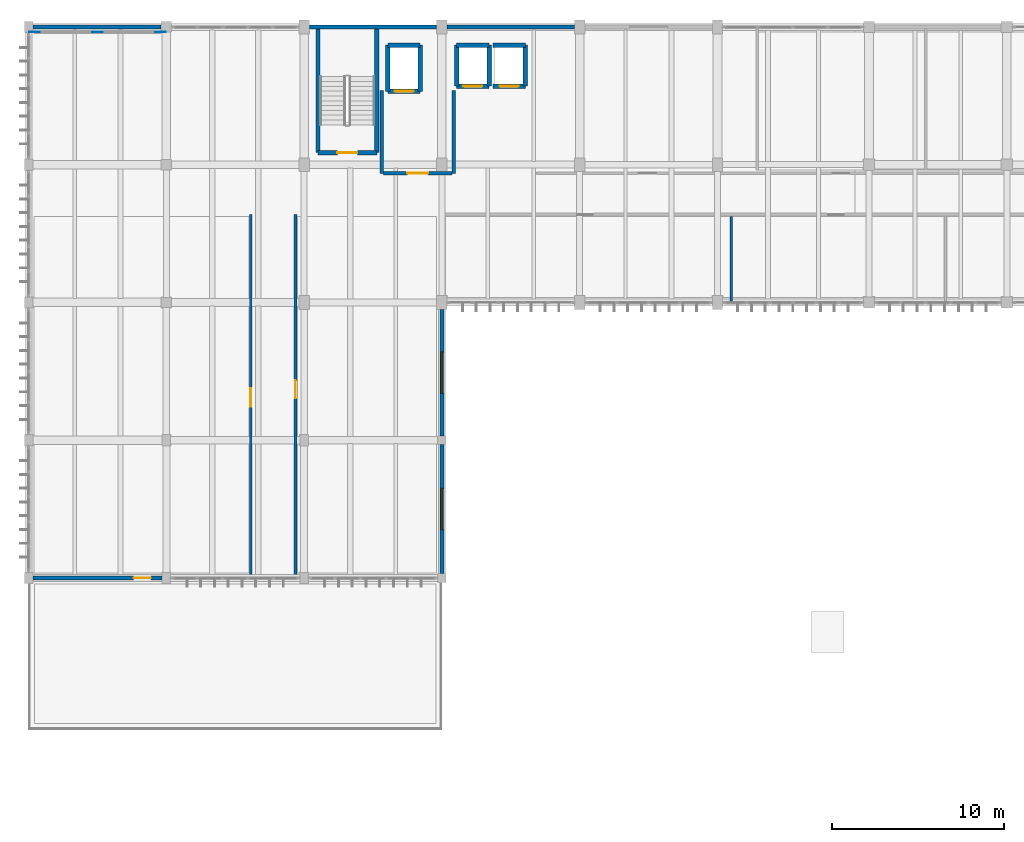
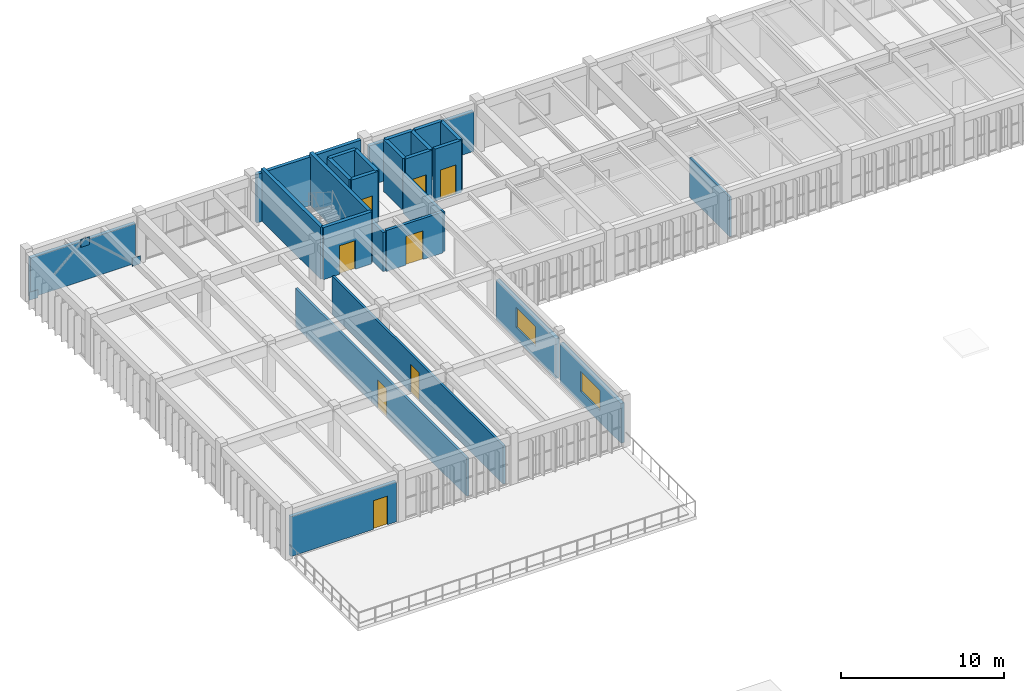
# One storey, part 19 of 31: 26 walls, 8 doors, 3 plates, 2 windows, 10 openings.
"""IFC4 building model written with IfcOpenShell, lengths in metres."""

from ifc_helpers import new_model, si_unit, direction, frame, frame_2d, origin, origin_2d, place, context, subcontext, project, spatial, rectangle, extrude, material, layer, layer_set, type_object, element, fill, save


model = new_model("IFC4")

# Units and contexts
model_context = context("Model", 3, precision=1e-05, world=origin(), true_north=direction((0.0, 1.0)))
body_context = subcontext(model_context, "Body", "Model", "MODEL_VIEW")
ifc_project = project(units=[si_unit("LENGTHUNIT", "METRE"), si_unit("AREAUNIT", "SQUARE_METRE"), si_unit("VOLUMEUNIT", "CUBIC_METRE"), si_unit("PLANEANGLEUNIT", "RADIAN"), si_unit("MASSUNIT", "GRAM", prefix="KILO")], contexts=[model_context])

# Site, building, storey
site_placement = place(None, origin())
site = spatial("IfcSite", under=ifc_project, at=site_placement, CompositionType="ELEMENT")
building_placement = place(site_placement, origin())
building = spatial("IfcBuilding", under=site, at=building_placement, Name="Tlaxcora Railside Police Headquarters", CompositionType="ELEMENT")
storey_placement = place(building_placement, frame((0.0, 0.0, 18.0)))
storey = spatial("IfcBuildingStorey", under=building, at=storey_placement, Name="L04", CompositionType="ELEMENT", Elevation=18.0)

# Plates
ifc_material_1 = material(Name="Steel ASTM A992 Grade 50", Category="steel")
ifc_layer_1 = layer(ifc_material_1, 0.02490234375, Name="Steel ASTM A992 Grade 50")
ifc_layer_set_1 = layer_set([ifc_layer_1], Name="Steel ASTM A992 Grade 50")
plate_type = type_object("IfcPlateType", Name="Structural Gusset or Cap Plate GP-22", PredefinedType="USERDEFINED", material=ifc_layer_set_1)
for number, where, z_axis, x_axis, name in (
    (1, (5.550048828125, 92.5, 0.0), (0.0, 0.0, 1.0), (1.0, 0.0, 0.0), "Chevron brace 4 gusset plate L"),
    (2, (12.85009765625, 92.5, 0.0), (0.0, 0.0, 1.0), (1.0, 0.0, 0.0), "Chevron brace 4 gusset plate R"),
    (3, (9.199951171875, 92.5, 2.699951171875), (0.0, 0.0, 1.0), (1.0, 0.0, 0.0), "Chevron brace 4 gusset plate APEX"),
):
    element("IfcPlate", number, at=place(storey_placement, frame(where, z_axis=z_axis, x_axis=x_axis)), inside=storey, type_object=plate_type, Name=name, ObjectType="GUSSET PLATE", PredefinedType="USERDEFINED", context=body_context, shape_type="SweptSolid", body=[
        extrude(rectangle(XDim=0.60009765625, YDim=0.02490234375, at=origin_2d()), origin(), (0.0, 0.0, 1.0), 0.60009765625),
    ])

# Wall, opening, door
ifc_material_2 = material(Name="Pressed clay brick masonry", Category="masonry")
ifc_layer_2 = layer(ifc_material_2, 0.199951171875, Name="Pressed clay brick masonry")
ifc_layer_set_2 = layer_set([ifc_layer_2], Name="Pressed clay brick masonry")
wall_type_1 = type_object("IfcWallType", Name="Interior Partition Wall IW-60", PredefinedType="PARTITIONING", material=ifc_layer_set_2)
wall_1_placement = place(storey_placement, frame((25.800048828125, 84.300048828125, 0.0), z_axis=(0.0, 0.0, 1.0), x_axis=(1.0, 0.0, 0.0)))
wall_1 = element("IfcWall", 4, at=wall_1_placement, inside=storey, type_object=wall_type_1, Name="V5 L04 interior partition 199", PredefinedType="PARTITIONING", context=body_context, shape_type="SweptSolid", body=[
    extrude(rectangle(XDim=4.0, YDim=0.199951171875, at=frame_2d((2.0, 0.0))), origin(), (0.0, 0.0, 1.0), 3.074951171875),
])
opening_1_placement = place(wall_1_placement, frame((1.39990234375, 0.0, 0.0)))
opening_1 = element("IfcOpeningElement", 5, at=opening_1_placement, cuts=wall_1, Name="Opening D-L04-228", PredefinedType="OPENING", context=body_context, shape_type="SweptSolid", body=[
    extrude(rectangle(XDim=1.199951171875, YDim=2.14990234375, at=frame_2d((0.60009765625, 1.074951171875))), frame((0.0, 0.10986328125, 0.0), z_axis=(0.0, -1.0, 0.0), x_axis=(1.0, 0.0, 0.0)), (0.0, 0.0, 1.0), 0.219970703125),
])
door_type_1 = type_object("IfcDoorType", Name="Swing or Sliding Personnel Door ID-14", OperationType="NOTDEFINED", PredefinedType="DOOR", material=ifc_material_1)
door_1_placement = place(opening_1_placement, origin())
door_1 = element("IfcDoor", 6, at=door_1_placement, inside=storey, type_object=door_type_1, Name="V5 L04 door D-L04-228", OperationType="DOUBLE_DOOR_SINGLE_SWING", OverallHeight=2.14990234375, OverallWidth=1.199951171875, PredefinedType="DOOR", context=body_context, shape_type="SweptSolid", body=[
    extrude(rectangle(XDim=1.199951171875, YDim=2.14990234375, at=frame_2d((0.60009765625, 1.074951171875))), frame((0.0, 0.02490234375, 0.0), z_axis=(0.0, -1.0, 0.0), x_axis=(1.0, 0.0, 0.0)), (0.0, 0.0, 1.0), 0.050048828125),
])
fill(opening_1, door_1)

# Walls
wall_2_placement = place(storey_placement, frame((25.699951171875, 84.300048828125, 0.0), z_axis=(0.0, 0.0, 1.0), x_axis=(0.0, 1.0, 0.0)))
element("IfcWall", 7, at=wall_2_placement, inside=storey, type_object=wall_type_1, Name="V5 L04 interior partition 200", PredefinedType="PARTITIONING", context=body_context, shape_type="SweptSolid", body=[
    extrude(rectangle(XDim=4.800048828125, YDim=0.199951171875, at=frame_2d((2.39990234375, 0.0))), origin(), (0.0, 0.0, 1.0), 2.925048828125),
])
wall_3_placement = place(storey_placement, frame((29.89990234375, 84.300048828125, 0.0), z_axis=(0.0, 0.0, 1.0), x_axis=(0.0, 1.0, 0.0)))
element("IfcWall", 8, at=wall_3_placement, inside=storey, type_object=wall_type_1, Name="V5 L04 interior partition 201", PredefinedType="PARTITIONING", context=body_context, shape_type="SweptSolid", body=[
    extrude(rectangle(XDim=4.800048828125, YDim=0.199951171875, at=frame_2d((2.39990234375, 0.0))), origin(), (0.0, 0.0, 1.0), 2.97509765625),
])

# Wall, opening, door
ifc_material_3 = material(Name="Gypsum acoustic partition board")
ifc_layer_3 = layer(ifc_material_3, 0.159912109375, Name="Gypsum acoustic partition board")
ifc_layer_set_3 = layer_set([ifc_layer_3], Name="Gypsum acoustic partition board")
wall_type_2 = type_object("IfcWallType", Name="Interior Partition Wall IW-73", PredefinedType="PARTITIONING", material=ifc_layer_set_3)
wall_4_placement = place(storey_placement, frame((18.10009765625, 60.8798828125, 0.0), z_axis=(0.0, 0.0, 1.0), x_axis=(0.0, 1.0, 0.0)))
wall_4 = element("IfcWall", 9, at=wall_4_placement, inside=storey, type_object=wall_type_2, Name="V5 L04 interior partition 219", PredefinedType="PARTITIONING", context=body_context, shape_type="SweptSolid", body=[
    extrude(rectangle(XDim=21.02001953125, YDim=0.159912109375, at=frame_2d((10.510009765625, 0.0))), origin(), (0.0, 0.0, 1.0), 2.875),
])
opening_2_placement = place(wall_4_placement, frame((9.85009765625, 0.0, 0.0)))
opening_2 = element("IfcOpeningElement", 10, at=opening_2_placement, cuts=wall_4, Name="Opening D-L04-243", PredefinedType="OPENING", context=body_context, shape_type="SweptSolid", body=[
    extrude(rectangle(XDim=1.10009765625, YDim=2.10009765625, at=frame_2d((0.550048828125, 1.050048828125))), frame((0.0, 0.08984375, 0.0), z_axis=(0.0, -1.0, 0.0), x_axis=(1.0, 0.0, 0.0)), (0.0, 0.0, 1.0), 0.179931640625),
])
door_type_2 = type_object("IfcDoorType", Name="Swing or Sliding Personnel Door ID-66", OperationType="NOTDEFINED", PredefinedType="DOOR", material=ifc_material_1)
door_2_placement = place(opening_2_placement, origin())
door_2 = element("IfcDoor", 11, at=door_2_placement, inside=storey, type_object=door_type_2, Name="V5 L04 door D-L04-243", OperationType="SINGLE_SWING_RIGHT", OverallHeight=2.10009765625, OverallWidth=1.10009765625, PredefinedType="DOOR", context=body_context, shape_type="SweptSolid", body=[
    extrude(rectangle(XDim=1.10009765625, YDim=2.10009765625, at=frame_2d((0.550048828125, 1.050048828125))), frame((0.0, 0.02490234375, 0.0), z_axis=(0.0, -1.0, 0.0), x_axis=(1.0, 0.0, 0.0)), (0.0, 0.0, 1.0), 0.050048828125),
])
fill(opening_2, door_2)

wall_5_placement = place(storey_placement, frame((20.699951171875, 60.8798828125, 0.0), z_axis=(0.0, 0.0, 1.0), x_axis=(0.0, 1.0, 0.0)))
wall_5 = element("IfcWall", 12, at=wall_5_placement, inside=storey, type_object=wall_type_2, Name="V5 L04 interior partition 220", PredefinedType="PARTITIONING", context=body_context, shape_type="SweptSolid", body=[
    extrude(rectangle(XDim=21.02001953125, YDim=0.159912109375, at=frame_2d((10.510009765625, 0.0))), origin(), (0.0, 0.0, 1.0), 2.875),
])
opening_3_placement = place(wall_5_placement, frame((10.35009765625, 0.0, 0.0)))
opening_3 = element("IfcOpeningElement", 13, at=opening_3_placement, cuts=wall_5, Name="Opening D-L04-244", PredefinedType="OPENING", context=body_context, shape_type="SweptSolid", body=[
    extrude(rectangle(XDim=1.050048828125, YDim=2.10009765625, at=frame_2d((0.52490234375, 1.050048828125))), frame((0.0, 0.08984375, 0.0), z_axis=(0.0, -1.0, 0.0), x_axis=(1.0, 0.0, 0.0)), (0.0, 0.0, 1.0), 0.179931640625),
])
door_type_3 = type_object("IfcDoorType", Name="Swing or Sliding Personnel Door ID-52", OperationType="NOTDEFINED", PredefinedType="DOOR", material=ifc_material_1)
door_3_placement = place(opening_3_placement, origin())
door_3 = element("IfcDoor", 14, at=door_3_placement, inside=storey, type_object=door_type_3, Name="V5 L04 door D-L04-244", OperationType="SINGLE_SWING_LEFT", OverallHeight=2.10009765625, OverallWidth=1.050048828125, PredefinedType="DOOR", context=body_context, shape_type="SweptSolid", body=[
    extrude(rectangle(XDim=1.050048828125, YDim=2.10009765625, at=frame_2d((0.52490234375, 1.050048828125))), frame((0.0, 0.02490234375, 0.0), z_axis=(0.0, -1.0, 0.0), x_axis=(1.0, 0.0, 0.0)), (0.0, 0.0, 1.0), 0.050048828125),
])
fill(opening_3, door_3)

# Wall
ifc_layer_4 = layer(ifc_material_3, 0.139892578125, Name="Gypsum acoustic partition board")
ifc_layer_set_4 = layer_set([ifc_layer_4], Name="Gypsum acoustic partition board")
wall_type_3 = type_object("IfcWallType", Name="Interior Partition Wall IW-86", PredefinedType="PARTITIONING", material=ifc_layer_set_4)
wall_6_placement = place(storey_placement, frame((45.993896484375, 76.8798828125, 0.0), z_axis=(0.0, 0.0, 1.0), x_axis=(0.0, 1.0, 0.0)))
element("IfcWall", 15, at=wall_6_placement, inside=storey, type_object=wall_type_3, Name="V5 L04 interior partition 211", PredefinedType="PARTITIONING", context=body_context, shape_type="SweptSolid", body=[
    extrude(rectangle(XDim=4.920166015625, YDim=0.139892578125, at=frame_2d((2.4599609375, 0.0))), origin(), (0.0, 0.0, 1.0), 2.97509765625),
])

# Wall, opening, door
ifc_material_4 = material(Name="Concrete C40/50", Category="concrete")
ifc_layer_5 = layer(ifc_material_4, 0.25, Name="Concrete C40/50")
ifc_layer_set_5 = layer_set([ifc_layer_5], Name="Concrete C40/50")
wall_type_4 = type_object("IfcWallType", Name="Shear Core Wall IW-13", PredefinedType="SHEAR", material=ifc_layer_set_5)
wall_7_placement = place(storey_placement, frame((22.0, 85.5, 0.0), z_axis=(0.0, 0.0, 1.0), x_axis=(1.0, 0.0, 0.0)))
wall_7 = element("IfcWall", 16, at=wall_7_placement, inside=storey, type_object=wall_type_4, Name="CORE-C1 L04 stair core wall S", PredefinedType="SHEAR", context=body_context, shape_type="SweptSolid", body=[
    extrude(rectangle(XDim=3.419921875, YDim=0.25, at=frame_2d((1.7099609375, 0.0))), origin(), (0.0, 0.0, 1.0), 3.89990234375),
])
opening_4_placement = place(wall_7_placement, frame((1.135009765625, 0.0, 0.0)))
opening_4 = element("IfcOpeningElement", 17, at=opening_4_placement, cuts=wall_7, Name="Opening SD-L04-006", PredefinedType="OPENING", context=body_context, shape_type="SweptSolid", body=[
    extrude(rectangle(XDim=1.14990234375, YDim=2.14990234375, at=frame_2d((0.574951171875, 1.074951171875))), frame((0.0, 0.135009765625, 0.0), z_axis=(0.0, -1.0, 0.0), x_axis=(1.0, 0.0, 0.0)), (0.0, 0.0, 1.0), 0.27001953125),
])
door_type_4 = type_object("IfcDoorType", Name="Swing or Sliding Personnel Door ID-73", OperationType="NOTDEFINED", PredefinedType="DOOR", material=ifc_material_1)
door_4_placement = place(opening_4_placement, origin())
door_4 = element("IfcDoor", 18, at=door_4_placement, inside=storey, type_object=door_type_4, Name="Stair ST1 L04 enclosure fire door", OperationType="SINGLE_SWING_RIGHT", OverallHeight=2.14990234375, OverallWidth=1.14990234375, PredefinedType="DOOR", context=body_context, shape_type="SweptSolid", body=[
    extrude(rectangle(XDim=1.14990234375, YDim=2.14990234375, at=frame_2d((0.574951171875, 1.074951171875))), frame((0.0, 0.02490234375, 0.0), z_axis=(0.0, -1.0, 0.0), x_axis=(1.0, 0.0, 0.0)), (0.0, 0.0, 1.0), 0.050048828125),
])
fill(opening_4, door_4)

# Walls
for number, where, z_axis, x_axis, name in (
    (19, (25.419921875, 85.5, 0.0), (0.0, 0.0, 1.0), (0.0, 1.0, 0.0), "CORE-C1 L04 stair core wall E"),
    (20, (22.0, 92.800048828125, 0.0), (0.0, 0.0, 1.0), (0.0, -1.0, 0.0), "CORE-C1 L04 stair core wall W"),
):
    element("IfcWall", number, at=place(storey_placement, frame(where, z_axis=z_axis, x_axis=x_axis)), inside=storey, type_object=wall_type_4, Name=name, PredefinedType="SHEAR", context=body_context, shape_type="SweptSolid", body=[
        extrude(rectangle(XDim=7.300048828125, YDim=0.25, at=frame_2d((3.64990234375, 0.0))), origin(), (0.0, 0.0, 1.0), 3.89990234375),
    ])

# Wall, opening, door
wall_8_placement = place(storey_placement, frame((26.06005859375, 89.06005859375, 0.0), z_axis=(0.0, 0.0, 1.0), x_axis=(1.0, 0.0, 0.0)))
wall_8 = element("IfcWall", 21, at=wall_8_placement, inside=storey, type_object=wall_type_4, Name="Lift FFL-01 L04 shaft wall S", PredefinedType="SHEAR", context=body_context, shape_type="SweptSolid", body=[
    extrude(rectangle(XDim=1.8798828125, YDim=0.25, at=frame_2d((0.93994140625, 0.0))), origin(), (0.0, 0.0, 1.0), 3.89990234375),
])
opening_5_placement = place(wall_8_placement, frame((0.389892578125, 0.0, 0.0)))
opening_5 = element("IfcOpeningElement", 22, at=opening_5_placement, cuts=wall_8, Name="Opening LD-FFL-01-L04", PredefinedType="OPENING", context=body_context, shape_type="SweptSolid", body=[
    extrude(rectangle(XDim=1.10009765625, YDim=2.199951171875, at=frame_2d((0.550048828125, 1.10009765625))), frame((0.0, 0.135009765625, 0.0), z_axis=(0.0, -1.0, 0.0), x_axis=(1.0, 0.0, 0.0)), (0.0, 0.0, 1.0), 0.27001953125),
])
door_type_5 = type_object("IfcDoorType", Name="Swing or Sliding Personnel Door ID-15", OperationType="NOTDEFINED", PredefinedType="DOOR", material=ifc_material_1)
door_5_placement = place(opening_5_placement, origin())
door_5 = element("IfcDoor", 23, at=door_5_placement, inside=storey, type_object=door_type_5, Name="Lift FFL-01 L04 sliding landing door", OperationType="DOUBLE_DOOR_SLIDING", OverallHeight=2.199951171875, OverallWidth=1.10009765625, PredefinedType="DOOR", context=body_context, shape_type="SweptSolid", body=[
    extrude(rectangle(XDim=1.10009765625, YDim=2.199951171875, at=frame_2d((0.550048828125, 1.10009765625))), frame((0.0, 0.02490234375, 0.0), z_axis=(0.0, -1.0, 0.0), x_axis=(1.0, 0.0, 0.0)), (0.0, 0.0, 1.0), 0.050048828125),
])
fill(opening_5, door_5)

# Walls
wall_9_placement = place(storey_placement, frame((27.93994140625, 89.06005859375, 0.0), z_axis=(0.0, 0.0, 1.0), x_axis=(0.0, 1.0, 0.0)))
element("IfcWall", 24, at=wall_9_placement, inside=storey, type_object=wall_type_4, Name="Lift FFL-01 L04 shaft wall E", PredefinedType="SHEAR", context=body_context, shape_type="SweptSolid", body=[
    extrude(rectangle(XDim=2.679931640625, YDim=0.25, at=frame_2d((1.33984375, 0.0))), origin(), (0.0, 0.0, 1.0), 3.89990234375),
])
wall_10_placement = place(storey_placement, frame((27.93994140625, 91.739990234375, 0.0), z_axis=(0.0, 0.0, 1.0), x_axis=(-1.0, 0.0, 0.0)))
element("IfcWall", 25, at=wall_10_placement, inside=storey, type_object=wall_type_4, Name="Lift FFL-01 L04 shaft wall N", PredefinedType="SHEAR", context=body_context, shape_type="SweptSolid", body=[
    extrude(rectangle(XDim=1.8798828125, YDim=0.25, at=frame_2d((0.93994140625, 0.0))), origin(), (0.0, 0.0, 1.0), 3.89990234375),
])
wall_11_placement = place(storey_placement, frame((26.06005859375, 91.739990234375, 0.0), z_axis=(0.0, 0.0, 1.0), x_axis=(0.0, -1.0, 0.0)))
element("IfcWall", 26, at=wall_11_placement, inside=storey, type_object=wall_type_4, Name="Lift FFL-01 L04 shaft wall W", PredefinedType="SHEAR", context=body_context, shape_type="SweptSolid", body=[
    extrude(rectangle(XDim=2.679931640625, YDim=0.25, at=frame_2d((1.33984375, 0.0))), origin(), (0.0, 0.0, 1.0), 3.89990234375),
])

# Wall, opening, door
wall_12_placement = place(storey_placement, frame((30.06005859375, 89.360107421875, 0.0), z_axis=(0.0, 0.0, 1.0), x_axis=(1.0, 0.0, 0.0)))
wall_12 = element("IfcWall", 27, at=wall_12_placement, inside=storey, type_object=wall_type_4, Name="Lift PL-01 L04 shaft wall S", PredefinedType="SHEAR", context=body_context, shape_type="SweptSolid", body=[
    extrude(rectangle(XDim=1.8798828125, YDim=0.25, at=frame_2d((0.93994140625, 0.0))), origin(), (0.0, 0.0, 1.0), 3.89990234375),
])
opening_6_placement = place(wall_12_placement, frame((0.389892578125, 0.0, 0.0)))
opening_6 = element("IfcOpeningElement", 28, at=opening_6_placement, cuts=wall_12, Name="Opening LD-PL-01-L04", PredefinedType="OPENING", context=body_context, shape_type="SweptSolid", body=[
    extrude(rectangle(XDim=1.10009765625, YDim=2.199951171875, at=frame_2d((0.550048828125, 1.10009765625))), frame((0.0, 0.135009765625, 0.0), z_axis=(0.0, -1.0, 0.0), x_axis=(1.0, 0.0, 0.0)), (0.0, 0.0, 1.0), 0.27001953125),
])
door_6_placement = place(opening_6_placement, origin())
door_6 = element("IfcDoor", 29, at=door_6_placement, inside=storey, type_object=door_type_5, Name="Lift PL-01 L04 sliding landing door", OperationType="DOUBLE_DOOR_SLIDING", OverallHeight=2.199951171875, OverallWidth=1.10009765625, PredefinedType="DOOR", context=body_context, shape_type="SweptSolid", body=[
    extrude(rectangle(XDim=1.10009765625, YDim=2.199951171875, at=frame_2d((0.550048828125, 1.10009765625))), frame((0.0, 0.02490234375, 0.0), z_axis=(0.0, -1.0, 0.0), x_axis=(1.0, 0.0, 0.0)), (0.0, 0.0, 1.0), 0.050048828125),
])
fill(opening_6, door_6)

# Walls
wall_13_placement = place(storey_placement, frame((31.93994140625, 89.360107421875, 0.0), z_axis=(0.0, 0.0, 1.0), x_axis=(0.0, 1.0, 0.0)))
element("IfcWall", 30, at=wall_13_placement, inside=storey, type_object=wall_type_4, Name="Lift PL-01 L04 shaft wall E", PredefinedType="SHEAR", context=body_context, shape_type="SweptSolid", body=[
    extrude(rectangle(XDim=2.3798828125, YDim=0.25, at=frame_2d((1.18994140625, 0.0))), origin(), (0.0, 0.0, 1.0), 3.89990234375),
])
wall_14_placement = place(storey_placement, frame((31.93994140625, 91.739990234375, 0.0), z_axis=(0.0, 0.0, 1.0), x_axis=(-1.0, 0.0, 0.0)))
element("IfcWall", 31, at=wall_14_placement, inside=storey, type_object=wall_type_4, Name="Lift PL-01 L04 shaft wall N", PredefinedType="SHEAR", context=body_context, shape_type="SweptSolid", body=[
    extrude(rectangle(XDim=1.8798828125, YDim=0.25, at=frame_2d((0.93994140625, 0.0))), origin(), (0.0, 0.0, 1.0), 3.89990234375),
])
wall_15_placement = place(storey_placement, frame((30.06005859375, 91.739990234375, 0.0), z_axis=(0.0, 0.0, 1.0), x_axis=(0.0, -1.0, 0.0)))
element("IfcWall", 32, at=wall_15_placement, inside=storey, type_object=wall_type_4, Name="Lift PL-01 L04 shaft wall W", PredefinedType="SHEAR", context=body_context, shape_type="SweptSolid", body=[
    extrude(rectangle(XDim=2.3798828125, YDim=0.25, at=frame_2d((1.18994140625, 0.0))), origin(), (0.0, 0.0, 1.0), 3.89990234375),
])

# Wall, opening, door
wall_16_placement = place(storey_placement, frame((32.159912109375, 89.360107421875, 0.0), z_axis=(0.0, 0.0, 1.0), x_axis=(1.0, 0.0, 0.0)))
wall_16 = element("IfcWall", 33, at=wall_16_placement, inside=storey, type_object=wall_type_4, Name="Lift PL-02 L04 shaft wall S", PredefinedType="SHEAR", context=body_context, shape_type="SweptSolid", body=[
    extrude(rectangle(XDim=1.880126953125, YDim=0.25, at=frame_2d((0.93994140625, 0.0))), origin(), (0.0, 0.0, 1.0), 3.89990234375),
])
opening_7_placement = place(wall_16_placement, frame((0.389892578125, 0.0, 0.0)))
opening_7 = element("IfcOpeningElement", 34, at=opening_7_placement, cuts=wall_16, Name="Opening LD-PL-02-L04", PredefinedType="OPENING", context=body_context, shape_type="SweptSolid", body=[
    extrude(rectangle(XDim=1.10009765625, YDim=2.199951171875, at=frame_2d((0.550048828125, 1.10009765625))), frame((0.0, 0.135009765625, 0.0), z_axis=(0.0, -1.0, 0.0), x_axis=(1.0, 0.0, 0.0)), (0.0, 0.0, 1.0), 0.27001953125),
])
door_7_placement = place(opening_7_placement, origin())
door_7 = element("IfcDoor", 35, at=door_7_placement, inside=storey, type_object=door_type_5, Name="Lift PL-02 L04 sliding landing door", OperationType="DOUBLE_DOOR_SLIDING", OverallHeight=2.199951171875, OverallWidth=1.10009765625, PredefinedType="DOOR", context=body_context, shape_type="SweptSolid", body=[
    extrude(rectangle(XDim=1.10009765625, YDim=2.199951171875, at=frame_2d((0.550048828125, 1.10009765625))), frame((0.0, 0.02490234375, 0.0), z_axis=(0.0, -1.0, 0.0), x_axis=(1.0, 0.0, 0.0)), (0.0, 0.0, 1.0), 0.050048828125),
])
fill(opening_7, door_7)

# Walls
wall_17_placement = place(storey_placement, frame((34.0400390625, 89.360107421875, 0.0), z_axis=(0.0, 0.0, 1.0), x_axis=(0.0, 1.0, 0.0)))
element("IfcWall", 36, at=wall_17_placement, inside=storey, type_object=wall_type_4, Name="Lift PL-02 L04 shaft wall E", PredefinedType="SHEAR", context=body_context, shape_type="SweptSolid", body=[
    extrude(rectangle(XDim=2.3798828125, YDim=0.25, at=frame_2d((1.18994140625, 0.0))), origin(), (0.0, 0.0, 1.0), 3.89990234375),
])
wall_18_placement = place(storey_placement, frame((34.0400390625, 91.739990234375, 0.0), z_axis=(0.0, 0.0, 1.0), x_axis=(-1.0, 0.0, 0.0)))
element("IfcWall", 37, at=wall_18_placement, inside=storey, type_object=wall_type_4, Name="Lift PL-02 L04 shaft wall N", PredefinedType="SHEAR", context=body_context, shape_type="SweptSolid", body=[
    extrude(rectangle(XDim=1.880126953125, YDim=0.25, at=frame_2d((0.93994140625, 0.0))), origin(), (0.0, 0.0, 1.0), 3.89990234375),
])

# Wall, opening, door
ifc_material_5 = material(Name="Precast concrete C40/50", Category="concrete")
ifc_layer_6 = layer(ifc_material_5, 0.2451171875, Name="Precast concrete C40/50")
ifc_layer_set_6 = layer_set([ifc_layer_6], Name="Precast concrete C40/50")
wall_type_5 = type_object("IfcWallType", Name="Structural Bearing Wall EW-94", PredefinedType="SOLIDWALL", material=ifc_layer_set_6)
wall_19_placement = place(storey_placement, frame((5.449951171875, 60.800048828125, 0.0), z_axis=(0.0, 0.0, 1.0), x_axis=(1.0, 0.0, 0.0)))
wall_19 = element("IfcWall", 38, at=wall_19_placement, inside=storey, type_object=wall_type_5, Name="V5 L04 exterior wall 0.0", PredefinedType="SOLIDWALL", context=body_context, shape_type="SweptSolid", body=[
    extrude(rectangle(XDim=7.5, YDim=0.2451171875, at=frame_2d((3.75, 0.0))), origin(), (0.0, 0.0, 1.0), 2.989990234375),
])
opening_8_placement = place(wall_19_placement, frame((5.85009765625, 0.0, 0.0)))
opening_8 = element("IfcOpeningElement", 39, at=opening_8_placement, cuts=wall_19, Name="Opening TD-05", PredefinedType="OPENING", context=body_context, shape_type="SweptSolid", body=[
    extrude(rectangle(XDim=1.0, YDim=2.14990234375, at=frame_2d((0.5, 1.074951171875))), frame((0.0, 0.132568359375, 0.0), z_axis=(0.0, -1.0, 0.0), x_axis=(1.0, 0.0, 0.0)), (0.0, 0.0, 1.0), 0.26513671875),
])
ifc_material_6 = material(Name="Anodised aluminium framing", Category="aluminium")
door_type_6 = type_object("IfcDoorType", Name="Swing or Sliding Personnel Door ED-65", OperationType="NOTDEFINED", PredefinedType="DOOR", material=ifc_material_6)
door_8_placement = place(opening_8_placement, frame((1.0, 0.0, 0.0), z_axis=(0.0, 0.0, 1.0), x_axis=(-1.0, 0.0, 0.0)))
door_8 = element("IfcDoor", 40, at=door_8_placement, inside=storey, type_object=door_type_6, Name="V5 L04 planted terrace access door", OperationType="SINGLE_SWING_LEFT", OverallHeight=2.14990234375, OverallWidth=1.0, PredefinedType="DOOR", context=body_context, shape_type="SweptSolid", body=[
    extrude(rectangle(XDim=1.0, YDim=2.14990234375, at=frame_2d((0.5, 1.074951171875))), frame((0.0, 0.02490234375, 0.0), z_axis=(0.0, -1.0, 0.0), x_axis=(1.0, 0.0, 0.0)), (0.0, 0.0, 1.0), 0.050048828125),
])
fill(opening_8, door_8)

# Wall, opening, window
wall_20_placement = place(storey_placement, frame((29.199951171875, 61.050048828125, 0.0), z_axis=(0.0, 0.0, 1.0), x_axis=(0.0, 1.0, 0.0)))
wall_20 = element("IfcWall", 41, at=wall_20_placement, inside=storey, type_object=wall_type_5, Name="V5 L04 exterior wall 1.0", PredefinedType="SOLIDWALL", context=body_context, shape_type="SweptSolid", body=[
    extrude(rectangle(XDim=7.5, YDim=0.2451171875, at=frame_2d((3.75, 0.0))), origin(), (0.0, 0.0, 1.0), 2.989990234375),
])
opening_9_placement = place(wall_20_placement, frame((2.550048828125, 0.0, 0.89990234375)))
opening_9 = element("IfcOpeningElement", 42, at=opening_9_placement, cuts=wall_20, Name="Opening WN-59", PredefinedType="OPENING", context=body_context, shape_type="SweptSolid", body=[
    extrude(rectangle(XDim=2.39990234375, YDim=1.5, at=frame_2d((1.199951171875, 0.75))), frame((0.0, 0.132568359375, 0.0), z_axis=(0.0, -1.0, 0.0), x_axis=(1.0, 0.0, 0.0)), (0.0, 0.0, 1.0), 0.26513671875),
])
ifc_material_7 = material(Name="Thermally broken low-E insulated glazing", Category="glass")
window_type = type_object("IfcWindowType", Name="Exterior Framed or Circular Window WN-59", PartitioningType="SINGLE_PANEL", PredefinedType="WINDOW", material=ifc_material_7)
window_1_placement = place(opening_9_placement, origin())
window_1 = element("IfcWindow", 43, at=window_1_placement, inside=storey, type_object=window_type, Name="V5 L04 window 138", OverallHeight=1.5, OverallWidth=2.39990234375, PartitioningType="SINGLE_PANEL", PredefinedType="WINDOW", context=body_context, shape_type="SweptSolid", body=[
    extrude(rectangle(XDim=2.39990234375, YDim=1.5, at=frame_2d((1.199951171875, 0.75))), frame((0.0, 0.030029296875, 0.0), z_axis=(0.0, -1.0, 0.0), x_axis=(1.0, 0.0, 0.0)), (0.0, 0.0, 1.0), 0.06005859375),
])
fill(opening_9, window_1)

wall_21_placement = place(storey_placement, frame((29.199951171875, 69.050048828125, 0.0), z_axis=(0.0, 0.0, 1.0), x_axis=(0.0, 1.0, 0.0)))
wall_21 = element("IfcWall", 44, at=wall_21_placement, inside=storey, type_object=wall_type_5, Name="V5 L04 exterior wall 1.1", PredefinedType="SOLIDWALL", context=body_context, shape_type="SweptSolid", body=[
    extrude(rectangle(XDim=7.349853515625, YDim=0.2451171875, at=frame_2d((3.6748046875, 0.0))), origin(), (0.0, 0.0, 1.0), 2.989990234375),
])
opening_10_placement = place(wall_21_placement, frame((2.47509765625, 0.0, 0.89990234375)))
opening_10 = element("IfcOpeningElement", 45, at=opening_10_placement, cuts=wall_21, Name="Opening WN-59", PredefinedType="OPENING", context=body_context, shape_type="SweptSolid", body=[
    extrude(rectangle(XDim=2.39990234375, YDim=1.5, at=frame_2d((1.199951171875, 0.75))), frame((0.0, 0.132568359375, 0.0), z_axis=(0.0, -1.0, 0.0), x_axis=(1.0, 0.0, 0.0)), (0.0, 0.0, 1.0), 0.26513671875),
])
window_2_placement = place(opening_10_placement, origin())
window_2 = element("IfcWindow", 46, at=window_2_placement, inside=storey, type_object=window_type, Name="V5 L04 window 139", OverallHeight=1.5, OverallWidth=2.39990234375, PartitioningType="SINGLE_PANEL", PredefinedType="WINDOW", context=body_context, shape_type="SweptSolid", body=[
    extrude(rectangle(XDim=2.39990234375, YDim=1.5, at=frame_2d((1.199951171875, 0.75))), frame((0.0, 0.030029296875, 0.0), z_axis=(0.0, -1.0, 0.0), x_axis=(1.0, 0.0, 0.0)), (0.0, 0.0, 1.0), 0.06005859375),
])
fill(opening_10, window_2)

# Walls
wall_22_placement = place(storey_placement, frame((36.89990234375, 92.800048828125, 0.0), z_axis=(0.0, 0.0, 1.0), x_axis=(-1.0, 0.0, 0.0)))
element("IfcWall", 47, at=wall_22_placement, inside=storey, type_object=wall_type_5, Name="V5 L04 exterior wall 4.7", PredefinedType="SOLIDWALL", context=body_context, shape_type="SweptSolid", body=[
    extrude(rectangle(XDim=7.39990234375, YDim=0.2451171875, at=frame_2d((3.699951171875, 0.0))), origin(), (0.0, 0.0, 1.0), 2.989990234375),
])
wall_23_placement = place(storey_placement, frame((28.89990234375, 92.800048828125, 0.0), z_axis=(0.0, 0.0, 1.0), x_axis=(-1.0, 0.0, 0.0)))
element("IfcWall", 48, at=wall_23_placement, inside=storey, type_object=wall_type_5, Name="V5 L04 exterior wall 4.8", PredefinedType="SOLIDWALL", context=body_context, shape_type="SweptSolid", body=[
    extrude(rectangle(XDim=7.39990234375, YDim=0.2451171875, at=frame_2d((3.699951171875, 0.0))), origin(), (0.0, 0.0, 1.0), 3.639892578125),
])
wall_24_placement = place(storey_placement, frame((12.89990234375, 92.800048828125, 0.0), z_axis=(0.0, 0.0, 1.0), x_axis=(-1.0, 0.0, 0.0)))
element("IfcWall", 49, at=wall_24_placement, inside=storey, type_object=wall_type_5, Name="V5 L04 exterior wall 4.10", PredefinedType="SOLIDWALL", context=body_context, shape_type="SweptSolid", body=[
    extrude(rectangle(XDim=7.449951171875, YDim=0.2451171875, at=frame_2d((3.72509765625, 0.0))), origin(), (0.0, 0.0, 1.0), 2.989990234375),
])

save(model, "model.ifc")
